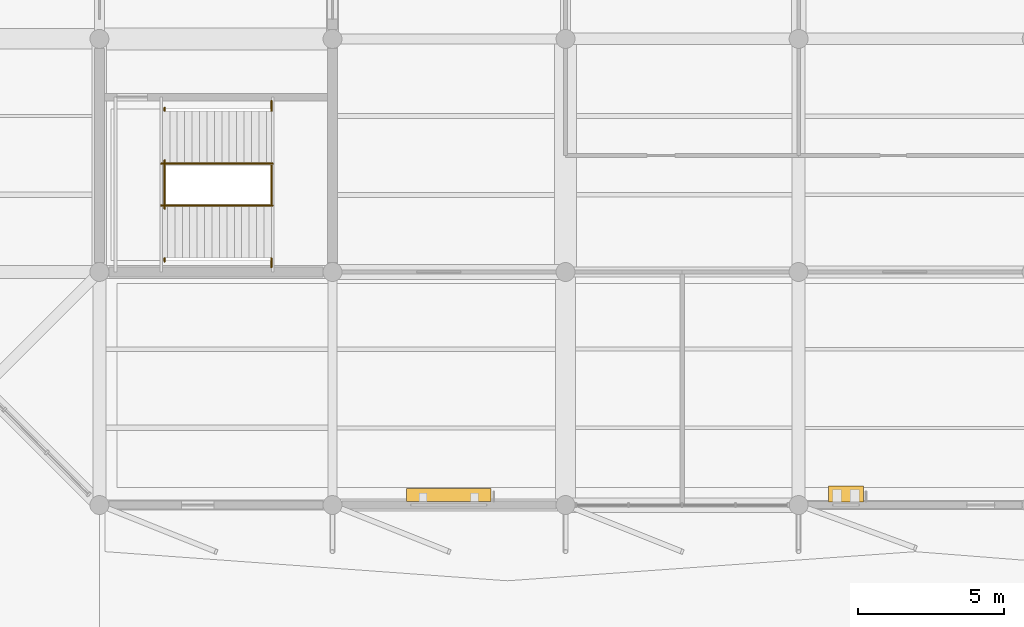
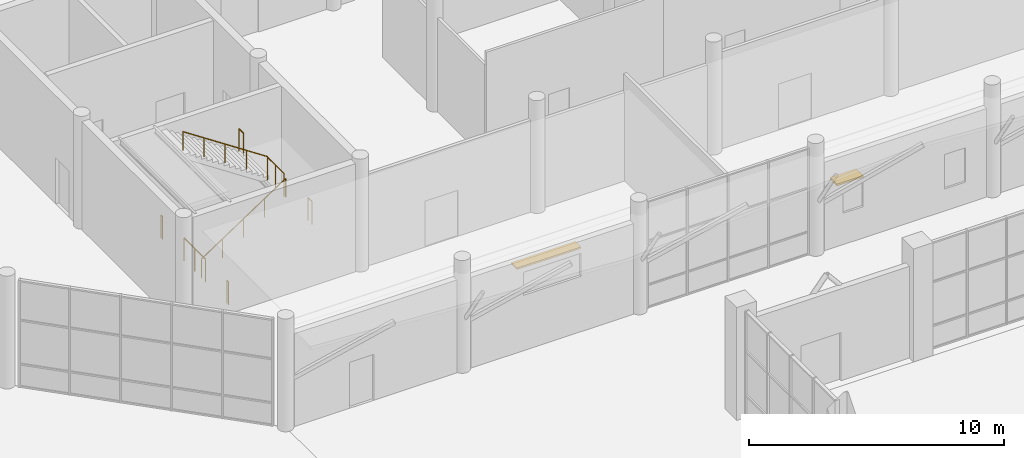
# One storey, part 120 of 123: 8 railings, 2 shading devices, 1 element without a shape of its own.
"""IFC4 building model written with IfcOpenShell, lengths in metres."""

import ifcopenshell
import ifcopenshell.guid

model = None  # the IFC model being written
_history = None  # IfcOwnerHistory: only IFC2X3 demands one
_inside = {}  # id of a spatial element -> (the spatial element, [elements in it])
_under = {}  # id of a project, library or spatial element -> (it, [spatial elements below it])
_declared = {}  # id of a project -> (the project, [libraries it declares])
_typed = {}  # id of a type object -> (the type object, [elements of that type])
_made_of = {}  # id of a material, layer set ... -> (it, [elements and type objects made of it])


def new_model(schema):
    """Start an empty IFC model of exactly this schema.

    Asked for "IFC4X3", IfcOpenShell would pick the latest addendum, in which some entities
    have other attributes; the version numbers below select the first issue.
    IFC2X3 requires an IfcOwnerHistory on every rooted entity: one is made here for all.
    """
    global model, _history
    if schema == "IFC4X3":
        model = ifcopenshell.file(schema_version=(4, 3, 0, 0))
    else:
        model = ifcopenshell.file(schema=schema)
    _inside.clear()
    _under.clear()
    _declared.clear()
    _typed.clear()
    _made_of.clear()
    _history = None
    if model.schema == "IFC2X3":
        org = make("IfcOrganization", Name="unknown")
        user = make(
            "IfcPersonAndOrganization",
            ThePerson=make("IfcPerson", FamilyName="unknown"),
            TheOrganization=org,
        )
        app = make(
            "IfcApplication",
            ApplicationDeveloper=org,
            Version="unknown",
            ApplicationFullName="unknown",
            ApplicationIdentifier="unknown",
        )
        _history = make(
            "IfcOwnerHistory",
            OwningUser=user,
            OwningApplication=app,
            ChangeAction="ADDED",
            CreationDate=0,
        )
    return model


def make(cls, **values):
    """One entity of the class cls with the attributes given. An attribute that is None is left unset."""
    return model.create_entity(
        cls, **{name: value for name, value in values.items() if value is not None}
    )


def rooted(cls, **values):
    """An entity with a GlobalId (a new one), such as an element, a storey or a relation."""
    return make(cls, GlobalId=ifcopenshell.guid.new(), OwnerHistory=_history, **values)


def si_unit(unit_type, name, prefix=None):
    """IfcSIUnit, for example si_unit("LENGTHUNIT", "METRE", prefix="MILLI")."""
    return make("IfcSIUnit", UnitType=unit_type, Prefix=prefix, Name=name)


def assignment(units):
    """IfcUnitAssignment: the units of a project."""
    return None if units is None else make("IfcUnitAssignment", Units=units)


def point(xyz):
    """IfcCartesianPoint."""
    return None if xyz is None else make("IfcCartesianPoint", Coordinates=xyz)


def direction(xyz):
    """IfcDirection."""
    return None if xyz is None else make("IfcDirection", DirectionRatios=xyz)


def frame(location, z_axis=None, x_axis=None):
    """IfcAxis2Placement3D, a coordinate frame: its origin and axes. An axis left out is left unset."""
    return make(
        "IfcAxis2Placement3D",
        Location=point(location),
        Axis=direction(z_axis),
        RefDirection=direction(x_axis),
    )


def frame_2d(location, x_axis=None):
    """IfcAxis2Placement2D, a coordinate frame in the plane: its origin and x axis."""
    return make(
        "IfcAxis2Placement2D", Location=point(location), RefDirection=direction(x_axis)
    )


def origin():
    """The frame at (0, 0, 0) with its axes left unset."""
    return frame((0.0, 0.0, 0.0))


def origin_2d():
    """The frame at (0, 0) in the plane with its x axis left unset."""
    return frame_2d((0.0, 0.0))


def place(relative_to, where):
    """IfcLocalPlacement: puts the frame where relative to a parent placement (None: the world)."""
    return make(
        "IfcLocalPlacement", PlacementRelTo=relative_to, RelativePlacement=where
    )


def context(
    kind, dimensions, precision=None, world=None, true_north=None, identifier=None
):
    """IfcGeometricRepresentationContext, for example the 3D "Model" context."""
    return make(
        "IfcGeometricRepresentationContext",
        ContextIdentifier=identifier,
        ContextType=kind,
        CoordinateSpaceDimension=dimensions,
        Precision=precision,
        WorldCoordinateSystem=world,
        TrueNorth=true_north,
    )


def subcontext(parent, identifier, kind, view, scale=None):
    """IfcGeometricRepresentationSubContext, for example "Body" below "Model"."""
    return make(
        "IfcGeometricRepresentationSubContext",
        ContextIdentifier=identifier,
        ContextType=kind,
        ParentContext=parent,
        TargetScale=scale,
        TargetView=view,
    )


def project(units=None, contexts=None):
    """IfcProject with its units and contexts."""
    return rooted(
        "IfcProject",
        Name="project",
        RepresentationContexts=contexts,
        UnitsInContext=assignment(units),
    )


def spatial(cls, under=None, at=None, **own):
    """A site, building, storey or space (cls), placed at a placement, below another one or the project."""
    s = rooted(cls, ObjectPlacement=at, **own)
    if under is not None:
        _under.setdefault(under.id(), (under, []))[1].append(s)
    return s


def profile(cls, at=None, kind="AREA", **sizes):
    """A parametric profile (cls). Its sizes go by their IFC names, for example OverallWidth=200.0."""
    return make(cls, ProfileType=kind, Position=at, **sizes)


def rectangle(**sizes):
    """IfcRectangleProfileDef."""
    return profile("IfcRectangleProfileDef", **sizes)


def circle(**sizes):
    """IfcCircleProfileDef."""
    return profile("IfcCircleProfileDef", **sizes)


def extrude(swept, where, along, depth):
    """IfcExtrudedAreaSolid: the profile swept, set in the frame where, extruded along a direction by depth."""
    return make(
        "IfcExtrudedAreaSolid",
        SweptArea=swept,
        Position=where,
        ExtrudedDirection=direction(along),
        Depth=depth,
    )


def shape(context_of_items, identifier, shape_type, items):
    """IfcShapeRepresentation: the items that make up one representation, for example the "Body"."""
    return make(
        "IfcShapeRepresentation",
        ContextOfItems=context_of_items,
        RepresentationIdentifier=identifier,
        RepresentationType=shape_type,
        Items=items,
    )


def material(Name=None, Category=None):
    """IfcMaterial."""
    return make("IfcMaterial", Name=Name, Category=Category)


def layer(
    of_material, thickness, ventilated=None, Name=None, Category=None, Priority=None
):
    """IfcMaterialLayer: one layer of a wall or slab, of a material (None: an air gap)."""
    return make(
        "IfcMaterialLayer",
        Material=of_material,
        LayerThickness=thickness,
        IsVentilated=ventilated,
        Name=Name,
        Category=Category,
        Priority=Priority,
    )


def layer_set(layers, Name=None):
    """IfcMaterialLayerSet."""
    return make("IfcMaterialLayerSet", MaterialLayers=layers, LayerSetName=Name)


def made_of(thing, what):
    """Note that an element or type object is made of a material, layer set ...; save() writes the relation."""
    if what is not None:
        _made_of.setdefault(what.id(), (what, []))[1].append(thing)
    return thing


def type_object(cls, material=None, **own):
    """A type object (cls), such as IfcWallType, which elements share."""
    return made_of(rooted(cls, **own), material)


def element(
    cls,
    number,
    at=None,
    inside=None,
    cuts=None,
    type_object=None,
    material=None,
    context=None,
    identifier="Body",
    shape_type=None,
    held_by="IfcProductDefinitionShape",
    body=None,
    shapes=None,
    **own,
):
    """One element of the class cls, such as IfcWall. Its Tag is "e" and its number.

    at: its placement. inside: the storey or other place that contains it. cuts: it is an
    opening in that element (IfcRelVoidsElement). A single representation is given by context,
    identifier, shape_type and body (its items); several are given by shapes. held_by: the class
    of the entity that holds the representations. save() writes the other relations.
    """
    e = rooted(cls, Tag="e%d" % number, ObjectPlacement=at, **own)
    if body is not None:
        shapes = [shape(context, identifier, shape_type, body)]
    if shapes is not None:
        e.Representation = make(held_by, Representations=shapes)
    if inside is not None:
        _inside.setdefault(inside.id(), (inside, []))[1].append(e)
    if cuts is not None:
        rooted(
            "IfcRelVoidsElement", RelatingBuildingElement=cuts, RelatedOpeningElement=e
        )
    if type_object is not None:
        _typed.setdefault(type_object.id(), (type_object, []))[1].append(e)
    return made_of(e, material)


def aggregate(whole, parts):
    """IfcRelAggregates: a whole, such as a stair, and the parts it consists of."""
    return rooted("IfcRelAggregates", RelatingObject=whole, RelatedObjects=parts)


def save(model, path):
    """Write the relations noted so far, then the file.

    IfcRelAggregates (storeys below a building ...), IfcRelContainedInSpatialStructure (elements
    in a storey), IfcRelDefinesByType, IfcRelAssociatesMaterial and IfcRelDeclares: one each for
    every whole, place, type object, material and project.
    """
    for whole, parts in _under.values():
        aggregate(whole, parts)
    for where, things in _inside.values():
        rooted(
            "IfcRelContainedInSpatialStructure",
            RelatedElements=things,
            RelatingStructure=where,
        )
    for kind, things in _typed.values():
        rooted("IfcRelDefinesByType", RelatedObjects=things, RelatingType=kind)
    for what, things in _made_of.values():
        rooted("IfcRelAssociatesMaterial", RelatedObjects=things, RelatingMaterial=what)
    for by, libraries in _declared.values():
        rooted("IfcRelDeclares", RelatingContext=by, RelatedDefinitions=libraries)
    model.write(path)


model = new_model("IFC4")

# Units and contexts
model_context = context("Model", 3, precision=1e-05, world=origin(), true_north=direction((0.0, 1.0)))
body_context = subcontext(model_context, "Body", "Model", "MODEL_VIEW")
ifc_project = project(units=[si_unit("LENGTHUNIT", "METRE"), si_unit("AREAUNIT", "SQUARE_METRE"), si_unit("VOLUMEUNIT", "CUBIC_METRE"), si_unit("PLANEANGLEUNIT", "RADIAN"), si_unit("MASSUNIT", "GRAM", prefix="KILO")], contexts=[model_context])

# Site, building, storey
site_placement = place(None, origin())
site = spatial("IfcSite", under=ifc_project, at=site_placement, CompositionType="ELEMENT")
building_placement = place(site_placement, origin())
building = spatial("IfcBuilding", under=site, at=building_placement, Name="Tenunan Teduh Sports Hall", CompositionType="ELEMENT")
storey_placement = place(building_placement, origin())
storey = spatial("IfcBuildingStorey", under=building, at=storey_placement, Name="L00", CompositionType="ELEMENT", Elevation=0.0)

# Railings
ifc_material_1 = material(Name="Galvanised and powder-coated steel", Category="steel")
ifc_layer_1 = layer(ifc_material_1, 0.070068359375)
ifc_layer_set_1 = layer_set([ifc_layer_1], Name="Galvanised and powder-coated steel")
railing_type_1 = type_object("IfcRailingType", Name="RLG-EXT-GRD", PredefinedType="GUARDRAIL", material=ifc_layer_set_1)
railing_1_placement = place(storey_placement, frame((108.239990234375, 96.169921875, 0.0)))
element("IfcRailing", 1, at=railing_1_placement, inside=storey, type_object=railing_type_1, Name="RLG-STW-WLND-E1-B1", PredefinedType="GUARDRAIL", context=body_context, shape_type="SweptSolid", body=[
    extrude(circle(Radius=0.02392578125, at=origin_2d()), frame((0.0, 0.0, 1.09619140625), z_axis=(0.0, 1.0, 0.0), x_axis=(-1.0, 0.0, 0.0)), (0.0, 0.0, 1.0), 1.66015625),
    extrude(circle(Radius=0.02099609375, at=origin_2d()), origin(), (0.0, 0.0, 1.0), 1.072021484375),
    extrude(circle(Radius=0.02099609375, at=origin_2d()), frame((0.0, 0.830078125, 0.0)), (0.0, 0.0, 1.0), 1.072021484375),
    extrude(circle(Radius=0.02099609375, at=origin_2d()), frame((0.0, 1.66015625, 0.0)), (0.0, 0.0, 1.0), 1.072021484375),
])
for number, where, name in (
    (2, (108.239990234375, 94.360107421875, 0.0), "RLG-STW-WLNDS-E1-B1"),
    (3, (108.239990234375, 99.530029296875, 0.0), "RLG-STW-WLNDN-E1-B1"),
):
    element("IfcRailing", number, at=place(storey_placement, frame(where)), inside=storey, type_object=railing_type_1, Name=name, PredefinedType="GUARDRAIL", context=body_context, shape_type="SweptSolid", body=[
        extrude(circle(Radius=0.02392578125, at=origin_2d()), frame((0.0, 0.0, 1.09619140625), z_axis=(0.0, 1.0, 0.0), x_axis=(-1.0, 0.0, 0.0)), (0.0, 0.0, 1.0), 0.10986328125),
        extrude(circle(Radius=0.02099609375, at=origin_2d()), origin(), (0.0, 0.0, 1.0), 1.072021484375),
        extrude(circle(Radius=0.02099609375, at=origin_2d()), frame((0.0, 0.10986328125, 0.0)), (0.0, 0.0, 1.0), 1.072021484375),
    ])
railing_2_placement = place(storey_placement, frame((111.905029296875, 96.35009765625, 2.699951171875)))
element("IfcRailing", 4, at=railing_2_placement, inside=storey, type_object=railing_type_1, Name="RLG-STW-MID-E1-L00", PredefinedType="GUARDRAIL", context=body_context, shape_type="SweptSolid", body=[
    extrude(circle(Radius=0.02392578125, at=origin_2d()), frame((0.0, 0.0, 1.09619140625), z_axis=(0.0, 1.0, 0.0), x_axis=(-1.0, 0.0, 0.0)), (0.0, 0.0, 1.0), 1.2998046875),
    extrude(circle(Radius=0.02099609375, at=origin_2d()), origin(), (0.0, 0.0, 1.0), 1.072021484375),
    extrude(circle(Radius=0.02099609375, at=origin_2d()), frame((0.0, 0.64990234375, 0.0)), (0.0, 0.0, 1.0), 1.072021484375),
    extrude(circle(Radius=0.02099609375, at=origin_2d()), frame((0.0, 1.2998046875, 0.0)), (0.0, 0.0, 1.0), 1.072021484375),
])
railing_3_placement = place(storey_placement, frame((111.905029296875, 94.159912109375, 2.699951171875)))
element("IfcRailing", 5, at=railing_3_placement, inside=storey, type_object=railing_type_1, Name="RLG-STW-MIDS-E1-L00", PredefinedType="GUARDRAIL", context=body_context, shape_type="SweptSolid", body=[
    extrude(circle(Radius=0.02392578125, at=origin_2d()), frame((0.0, 0.0, 1.09619140625), z_axis=(0.0, 1.0, 0.0), x_axis=(-1.0, 0.0, 0.0)), (0.0, 0.0, 1.0), 0.31005859375),
    extrude(circle(Radius=0.02099609375, at=origin_2d()), origin(), (0.0, 0.0, 1.0), 1.072021484375),
    extrude(circle(Radius=0.02099609375, at=origin_2d()), frame((0.0, 0.31005859375, 0.0)), (0.0, 0.0, 1.0), 1.072021484375),
])
railing_4_placement = place(storey_placement, frame((111.905029296875, 99.530029296875, 2.699951171875)))
element("IfcRailing", 6, at=railing_4_placement, inside=storey, type_object=railing_type_1, Name="RLG-STW-MIDN-E1-L00", PredefinedType="GUARDRAIL", context=body_context, shape_type="SweptSolid", body=[
    extrude(circle(Radius=0.02392578125, at=origin_2d()), frame((0.0, 0.0, 1.09619140625), z_axis=(0.0, 1.0, 0.0), x_axis=(-1.0, 0.0, 0.0)), (0.0, 0.0, 1.0), 0.340087890625),
    extrude(circle(Radius=0.02099609375, at=origin_2d()), origin(), (0.0, 0.0, 1.0), 1.072021484375),
    extrude(circle(Radius=0.02099609375, at=origin_2d()), frame((0.0, 0.340087890625, 0.0)), (0.0, 0.0, 1.0), 1.072021484375),
])

# Stair, railings
ifc_material_2 = material(Name="Precast concrete C40/50", Category="concrete")
stair_type = type_object("IfcStairType", Name="STR-CORE-54", PredefinedType="HALF_TURN_STAIR", material=ifc_material_2)
stair_placement = place(storey_placement, origin())
stair = element("IfcStair", 7, at=stair_placement, inside=storey, type_object=stair_type, Name="STR-E1-L00", PredefinedType="HALF_TURN_STAIR")
ifc_material_3 = material(Name="Brushed stainless steel", Category="steel")
ifc_layer_2 = layer(ifc_material_3, 0.050048828125)
ifc_layer_set_2 = layer_set([ifc_layer_2], Name="Brushed stainless steel")
railing_type_2 = type_object("IfcRailingType", Name="RLG-STAIR-HR", PredefinedType="HANDRAIL", material=ifc_layer_set_2)
railing_5_placement = place(storey_placement, frame((108.1201171875, 96.280029296875, 0.168701171875)))
railing_5 = element("IfcRailing", 8, at=railing_5_placement, type_object=railing_type_2, Name="STR-E1-L00-HR1", PredefinedType="HANDRAIL", context=body_context, shape_type="SweptSolid", body=[
    extrude(circle(Radius=0.02392578125, at=origin_2d()), frame((0.0, 0.0, 0.89599609375), z_axis=(0.833928963496, 0.0, 0.551871800187), x_axis=(0.0, 1.0, 0.0)), (0.0, 0.0, 1.0), 4.586669921875),
    extrude(circle(Radius=0.02099609375, at=origin_2d()), origin(), (0.0, 0.0, 1.0), 0.871826171875),
    extrude(circle(Radius=0.02099609375, at=origin_2d()), frame((0.956298828125, 0.0, 0.6328125)), (0.0, 0.0, 1.0), 0.871826171875),
    extrude(circle(Radius=0.02099609375, at=origin_2d()), frame((1.91259765625, 0.0, 1.265625)), (0.0, 0.0, 1.0), 0.871826171875),
    extrude(circle(Radius=0.02099609375, at=origin_2d()), frame((2.86865234375, 0.0, 1.8984375)), (0.0, 0.0, 1.0), 0.871826171875),
    extrude(circle(Radius=0.02099609375, at=origin_2d()), frame((3.824951171875, 0.0, 2.53125)), (0.0, 0.0, 1.0), 0.871826171875),
])
railing_6_placement = place(storey_placement, frame((111.945068359375, 97.719970703125, 2.86865234375)))
railing_6 = element("IfcRailing", 9, at=railing_6_placement, type_object=railing_type_2, Name="STR-E1-L00-HR2", PredefinedType="HANDRAIL", context=body_context, shape_type="SweptSolid", body=[
    extrude(circle(Radius=0.02392578125, at=origin_2d()), frame((0.0, 0.0, 0.89599609375), z_axis=(-0.833928963496, 0.0, 0.551871800187), x_axis=(0.0, -1.0, 0.0)), (0.0, 0.0, 1.0), 4.586669921875),
    extrude(circle(Radius=0.02099609375, at=origin_2d()), origin(), (0.0, 0.0, 1.0), 0.871826171875),
    extrude(circle(Radius=0.02099609375, at=origin_2d()), frame((-0.956298828125, 0.0, 0.6328125)), (0.0, 0.0, 1.0), 0.871826171875),
    extrude(circle(Radius=0.02099609375, at=origin_2d()), frame((-1.91259765625, 0.0, 1.265625)), (0.0, 0.0, 1.0), 0.871826171875),
    extrude(circle(Radius=0.02099609375, at=origin_2d()), frame((-2.86865234375, 0.0, 1.8984375)), (0.0, 0.0, 1.0), 0.871826171875),
    extrude(circle(Radius=0.02099609375, at=origin_2d()), frame((-3.824951171875, 0.0, 2.53125)), (0.0, 0.0, 1.0), 0.871826171875),
])
aggregate(stair, [railing_5, railing_6])

# Shading devices
ifc_material_4 = material(Name="Perforated anodised aluminium", Category="aluminium")
shading_device_type_1 = type_object("IfcShadingDeviceType", Name="SHD-LOUVRE-1", PredefinedType="AWNING", material=ifc_material_4)
shading_device_1_placement = place(storey_placement, frame((117.9951171875, 86.340087890625, 3.77001953125), z_axis=(0.0, 0.0, 1.0), x_axis=(1.0, 0.0, 0.0)))
element("IfcShadingDevice", 10, at=shading_device_1_placement, inside=storey, type_object=shading_device_type_1, Name="SHD-L00-072", PredefinedType="AWNING", context=body_context, shape_type="SweptSolid", body=[
    extrude(rectangle(XDim=2.89990234375, YDim=0.449951171875, at=origin_2d()), origin(), (0.0, 0.0, 1.0), 0.080078125),
])
ifc_material_5 = material(Name="Perforated anodised aluminium", Category="aluminium")
shading_device_type_2 = type_object("IfcShadingDeviceType", Name="SHD-LOUVRE-2", PredefinedType="SHUTTER", material=ifc_material_5)
shading_device_2_placement = place(storey_placement, frame((131.625, 86.375, 2.71484375), z_axis=(0.0, 0.0, 1.0), x_axis=(1.0, 0.0, 0.0)))
element("IfcShadingDevice", 11, at=shading_device_2_placement, inside=storey, type_object=shading_device_type_2, Name="SHD-L00-073", PredefinedType="SHUTTER", context=body_context, shape_type="SweptSolid", body=[
    extrude(rectangle(XDim=1.199951171875, YDim=0.550048828125, at=origin_2d()), origin(), (0.0, 0.0, 1.0), 0.090087890625),
])

save(model, "model.ifc")
